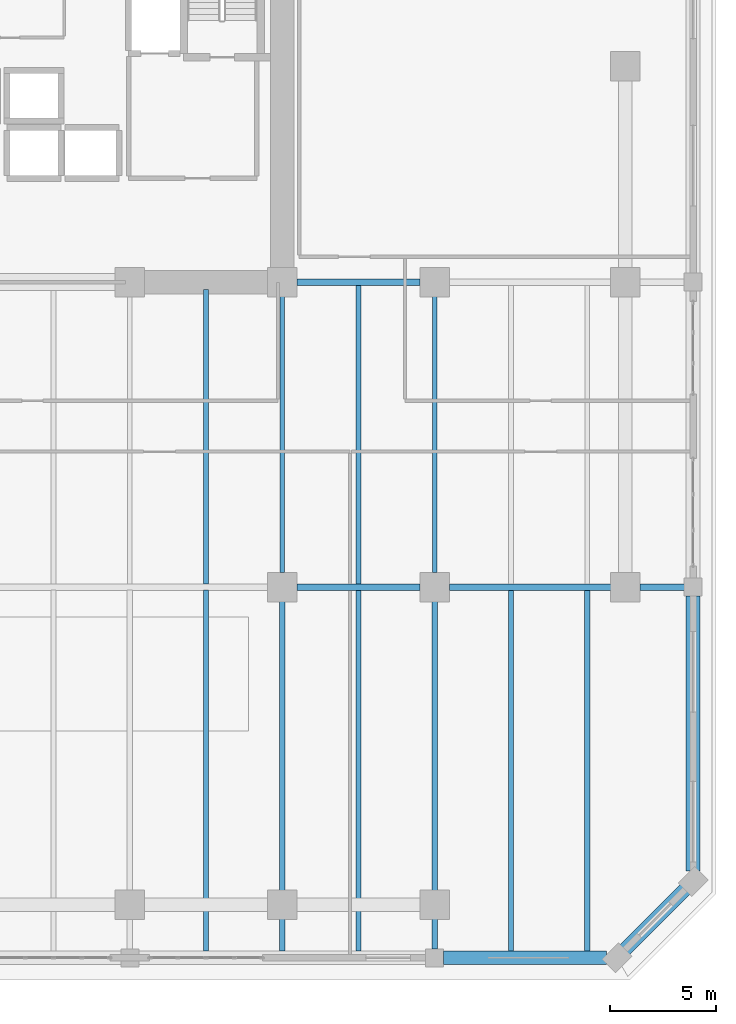
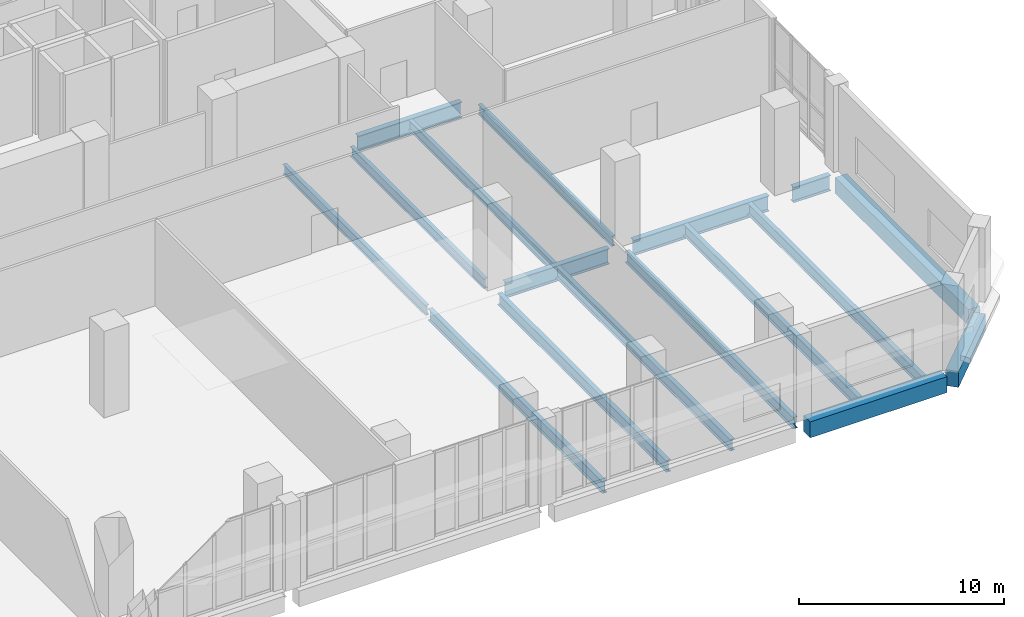
# One storey, part 14 of 25: 17 beams.
"""IFC4 building model written with IfcOpenShell, lengths in metres."""

from ifc_helpers import new_model, si_unit, direction, frame, origin, origin_2d, place, context, subcontext, project, spatial, rectangle, i_section, extrude, material, material_profile, profile_set, type_object, element, save


model = new_model("IFC4")

# Units and contexts
model_context = context("Model", 3, precision=1e-05, world=origin(), true_north=direction((0.0, 1.0)))
body_context = subcontext(model_context, "Body", "Model", "MODEL_VIEW")
ifc_project = project(units=[si_unit("LENGTHUNIT", "METRE"), si_unit("AREAUNIT", "SQUARE_METRE"), si_unit("VOLUMEUNIT", "CUBIC_METRE"), si_unit("PLANEANGLEUNIT", "RADIAN"), si_unit("MASSUNIT", "GRAM", prefix="KILO")], contexts=[model_context])

# Site, building, storey
site_placement = place(None, origin())
site = spatial("IfcSite", under=ifc_project, at=site_placement, CompositionType="ELEMENT")
building_placement = place(site_placement, origin())
building = spatial("IfcBuilding", under=site, at=building_placement, Name="Kaelvorn Grand Hotel", CompositionType="ELEMENT")
storey_placement = place(building_placement, frame((0.0, 0.0, 26.0)))
storey = spatial("IfcBuildingStorey", under=building, at=storey_placement, Name="L04", CompositionType="ELEMENT", Elevation=26.0)

# Beams
ifc_material_1 = material(Name="Steel S355", Category="steel")
ifc_material_profile_1 = material_profile(ifc_material_1, i_section(OverallWidth=0.305419921875, OverallDepth=0.91845703125, WebThickness=0.017333984375, FlangeThickness=0.02783203125, FilletRadius=0.01904296875, at=origin_2d()), Name="UB 914x305x253")
ifc_profile_set_1 = profile_set([ifc_material_profile_1], Name="Steel S355")
beam_type_1 = type_object("IfcBeamType", Name="BM-G-UB914-S355", PredefinedType="BEAM", material=ifc_profile_set_1)
beam_1_placement = place(storey_placement, frame((68.485107421875, 15.0, -0.779296875), z_axis=(1.0, 0.0, 0.0), x_axis=(0.0, 1.0, 0.0)))
element("IfcBeam", 1, at=beam_1_placement, inside=storey, type_object=beam_type_1, Name="L04 Primary Spine Steel Girder G-15 07", PredefinedType="BEAM", context=body_context, shape_type="SweptSolid", body=[
    extrude(i_section(OverallWidth=0.305419921875, OverallDepth=0.91845703125, WebThickness=0.017333984375, FlangeThickness=0.02783203125, FilletRadius=0.01904296875, at=origin_2d()), origin(), (0.0, 0.0, 1.0), 5.829833984375),
])
beam_2_placement = place(storey_placement, frame((75.68505859375, 15.0, -0.779296875), z_axis=(1.0, 0.0, 0.0), x_axis=(0.0, 1.0, 0.0)))
element("IfcBeam", 2, at=beam_2_placement, inside=storey, type_object=beam_type_1, Name="L04 Primary Spine Steel Girder G-15 08", PredefinedType="BEAM", context=body_context, shape_type="SweptSolid", body=[
    extrude(i_section(OverallWidth=0.305419921875, OverallDepth=0.91845703125, WebThickness=0.017333984375, FlangeThickness=0.02783203125, FilletRadius=0.01904296875, at=origin_2d()), origin(), (0.0, 0.0, 1.0), 7.6298828125),
])
beam_3_placement = place(storey_placement, frame((84.68505859375, 15.0, -0.779296875), z_axis=(1.0, 0.0, 0.0), x_axis=(0.0, 1.0, 0.0)))
element("IfcBeam", 3, at=beam_3_placement, inside=storey, type_object=beam_type_1, Name="L04 Primary Spine Steel Girder G-15 09", PredefinedType="BEAM", context=body_context, shape_type="SweptSolid", body=[
    extrude(i_section(OverallWidth=0.305419921875, OverallDepth=0.91845703125, WebThickness=0.017333984375, FlangeThickness=0.02783203125, FilletRadius=0.01904296875, at=origin_2d()), origin(), (0.0, 0.0, 1.0), 2.10498046875),
])
beam_4_placement = place(storey_placement, frame((68.485107421875, 29.39990234375, -0.779296875), z_axis=(1.0, 0.0, 0.0), x_axis=(0.0, 1.0, 0.0)))
element("IfcBeam", 4, at=beam_4_placement, inside=storey, type_object=beam_type_1, Name="L04 East Core Wing Steel Girder G-29E 01", PredefinedType="BEAM", context=body_context, shape_type="SweptSolid", body=[
    extrude(i_section(OverallWidth=0.305419921875, OverallDepth=0.91845703125, WebThickness=0.017333984375, FlangeThickness=0.02783203125, FilletRadius=0.01904296875, at=origin_2d()), origin(), (0.0, 0.0, 1.0), 5.829833984375),
])
ifc_material_profile_2 = material_profile(ifc_material_1, i_section(OverallWidth=0.219970703125, OverallDepth=0.60009765625, WebThickness=0.011962890625, FlangeThickness=0.01904296875, FilletRadius=0.02392578125, at=origin_2d()), Name="IPE 600")
ifc_profile_set_2 = profile_set([ifc_material_profile_2], Name="Steel S355")
beam_type_2 = type_object("IfcBeamType", Name="BM-J-IPE600-S355", PredefinedType="JOIST", material=ifc_profile_set_2)
beam_5_placement = place(storey_placement, frame((64.199951171875, 15.1376953125, -0.6201171875), z_axis=(0.0, 1.0, 0.0), x_axis=(-1.0, 0.0, 0.0)))
element("IfcBeam", 5, at=beam_5_placement, inside=storey, type_object=beam_type_2, Name="L04 Composite Floor Joist JM-18", PredefinedType="JOIST", context=body_context, shape_type="SweptSolid", body=[
    extrude(i_section(OverallWidth=0.219970703125, OverallDepth=0.60009765625, WebThickness=0.011962890625, FlangeThickness=0.01904296875, FilletRadius=0.02392578125, at=origin_2d()), origin(), (0.0, 0.0, 1.0), 13.92236328125),
])
beam_6_placement = place(storey_placement, frame((67.800048828125, 15.68505859375, -0.6201171875), z_axis=(0.0, 1.0, 0.0), x_axis=(-1.0, 0.0, 0.0)))
element("IfcBeam", 6, at=beam_6_placement, inside=storey, type_object=beam_type_2, Name="L04 Composite Floor Joist JM-19", PredefinedType="JOIST", context=body_context, shape_type="SweptSolid", body=[
    extrude(i_section(OverallWidth=0.219970703125, OverallDepth=0.60009765625, WebThickness=0.011962890625, FlangeThickness=0.01904296875, FilletRadius=0.02392578125, at=origin_2d()), origin(), (0.0, 0.0, 1.0), 13.030029296875),
])
beam_7_placement = place(storey_placement, frame((71.39990234375, 15.1376953125, -0.6201171875), z_axis=(0.0, 1.0, 0.0), x_axis=(-1.0, 0.0, 0.0)))
element("IfcBeam", 7, at=beam_7_placement, inside=storey, type_object=beam_type_2, Name="L04 Composite Floor Joist JM-20", PredefinedType="JOIST", context=body_context, shape_type="SweptSolid", body=[
    extrude(i_section(OverallWidth=0.219970703125, OverallDepth=0.60009765625, WebThickness=0.011962890625, FlangeThickness=0.01904296875, FilletRadius=0.02392578125, at=origin_2d()), origin(), (0.0, 0.0, 1.0), 14.12451171875),
])
beam_8_placement = place(storey_placement, frame((75.0, 15.68505859375, -0.6201171875), z_axis=(0.0, 1.0, 0.0), x_axis=(-1.0, 0.0, 0.0)))
element("IfcBeam", 8, at=beam_8_placement, inside=storey, type_object=beam_type_2, Name="L04 Composite Floor Joist JM-21", PredefinedType="JOIST", context=body_context, shape_type="SweptSolid", body=[
    extrude(i_section(OverallWidth=0.219970703125, OverallDepth=0.60009765625, WebThickness=0.011962890625, FlangeThickness=0.01904296875, FilletRadius=0.02392578125, at=origin_2d()), origin(), (0.0, 0.0, 1.0), 13.030029296875),
])
ifc_material_profile_3 = material_profile(ifc_material_1, i_section(OverallWidth=0.25439453125, OverallDepth=0.6875, WebThickness=0.01318359375, FlangeThickness=0.02099609375, FilletRadius=0.01513671875, at=origin_2d()), Name="UB 686x254x152")
ifc_profile_set_3 = profile_set([ifc_material_profile_3], Name="Steel S355")
beam_type_3 = type_object("IfcBeamType", Name="BM-J-UB686-S355", PredefinedType="JOIST", material=ifc_profile_set_3)
beam_9_placement = place(storey_placement, frame((64.199951171875, -2.18994140625, -0.663818359375), z_axis=(0.0, 1.0, 0.0), x_axis=(-1.0, 0.0, 0.0)))
element("IfcBeam", 9, at=beam_9_placement, inside=storey, type_object=beam_type_3, Name="L04 Composite Floor Joist JS-18", PredefinedType="JOIST", context=body_context, shape_type="SweptSolid", body=[
    extrude(i_section(OverallWidth=0.25439453125, OverallDepth=0.6875, WebThickness=0.01318359375, FlangeThickness=0.02099609375, FilletRadius=0.01513671875, at=origin_2d()), origin(), (0.0, 0.0, 1.0), 17.05224609375),
])
beam_10_placement = place(storey_placement, frame((67.800048828125, -2.18994140625, -0.663818359375), z_axis=(0.0, 1.0, 0.0), x_axis=(-1.0, 0.0, 0.0)))
element("IfcBeam", 10, at=beam_10_placement, inside=storey, type_object=beam_type_3, Name="L04 Composite Floor Joist JS-19", PredefinedType="JOIST", context=body_context, shape_type="SweptSolid", body=[
    extrude(i_section(OverallWidth=0.25439453125, OverallDepth=0.6875, WebThickness=0.01318359375, FlangeThickness=0.02099609375, FilletRadius=0.01513671875, at=origin_2d()), origin(), (0.0, 0.0, 1.0), 16.5048828125),
])
beam_11_placement = place(storey_placement, frame((71.39990234375, -2.18994140625, -0.663818359375), z_axis=(0.0, 1.0, 0.0), x_axis=(-1.0, 0.0, 0.0)))
element("IfcBeam", 11, at=beam_11_placement, inside=storey, type_object=beam_type_3, Name="L04 Composite Floor Joist JS-20", PredefinedType="JOIST", context=body_context, shape_type="SweptSolid", body=[
    extrude(i_section(OverallWidth=0.25439453125, OverallDepth=0.6875, WebThickness=0.01318359375, FlangeThickness=0.02099609375, FilletRadius=0.01513671875, at=origin_2d()), origin(), (0.0, 0.0, 1.0), 17.05224609375),
])
beam_12_placement = place(storey_placement, frame((75.0, -2.090087890625, -0.663818359375), z_axis=(0.0, 1.0, 0.0), x_axis=(-1.0, 0.0, 0.0)))
element("IfcBeam", 12, at=beam_12_placement, inside=storey, type_object=beam_type_3, Name="L04 Composite Floor Joist JS-21", PredefinedType="JOIST", context=body_context, shape_type="SweptSolid", body=[
    extrude(i_section(OverallWidth=0.25439453125, OverallDepth=0.6875, WebThickness=0.01318359375, FlangeThickness=0.02099609375, FilletRadius=0.01513671875, at=origin_2d()), origin(), (0.0, 0.0, 1.0), 16.405029296875),
])
for number, where, z_axis, x_axis, name in (
    (13, (78.60009765625, -2.18994140625, -0.663818359375), (0.0, 1.0, 0.0), (-1.0, 0.0, 0.0), "L04 Composite Floor Joist JS-22"),
    (14, (82.199951171875, -2.18994140625, -0.663818359375), (0.0, 1.0, 0.0), (-1.0, 0.0, 0.0), "L04 Composite Floor Joist JS-23"),
):
    element("IfcBeam", number, at=place(storey_placement, frame(where, z_axis=z_axis, x_axis=x_axis)), inside=storey, type_object=beam_type_3, Name=name, PredefinedType="JOIST", context=body_context, shape_type="SweptSolid", body=[
        extrude(i_section(OverallWidth=0.25439453125, OverallDepth=0.6875, WebThickness=0.01318359375, FlangeThickness=0.02099609375, FilletRadius=0.01513671875, at=origin_2d()), origin(), (0.0, 0.0, 1.0), 17.05224609375),
    ])
ifc_material_2 = material(Name="Concrete C60/75", Category="concrete")
ifc_material_profile_4 = material_profile(ifc_material_2, rectangle(XDim=0.64990234375, YDim=0.949951171875, at=origin_2d()), Name="RC SPANDREL 650x950")
ifc_profile_set_4 = profile_set([ifc_material_profile_4], Name="Concrete C60/75")
beam_type_4 = type_object("IfcBeamType", Name="BM-SP-650x950-C60", PredefinedType="SPANDREL", material=ifc_profile_set_4)
beam_13_placement = place(storey_placement, frame((75.409912109375, -2.5, -0.794921875), z_axis=(1.0, 0.0, 0.0), x_axis=(0.0, 1.0, 0.0)))
element("IfcBeam", 15, at=beam_13_placement, inside=storey, type_object=beam_type_4, Name="L04 South Perimeter Spandrel 07", PredefinedType="SPANDREL", context=body_context, shape_type="SweptSolid", body=[
    extrude(rectangle(XDim=0.64990234375, YDim=0.949951171875, at=origin_2d()), origin(), (0.0, 0.0, 1.0), 7.705078125),
])
beam_14_placement = place(storey_placement, frame((87.199951171875, 1.5849609375, -0.794921875), z_axis=(0.0, 1.0, 0.0), x_axis=(-1.0, 0.0, 0.0)))
element("IfcBeam", 16, at=beam_14_placement, inside=storey, type_object=beam_type_4, Name="L04 East Perimeter Spandrel 01", PredefinedType="SPANDREL", context=body_context, shape_type="SweptSolid", body=[
    extrude(rectangle(XDim=0.64990234375, YDim=0.949951171875, at=origin_2d()), origin(), (0.0, 0.0, 1.0), 13.005126953125),
])
beam_15_placement = place(storey_placement, frame((83.60009765625, -2.5, -0.794921875), z_axis=(0.707082803744, 0.707130757816, 0.0), x_axis=(-0.707130757816, 0.707082803744, 0.0)))
element("IfcBeam", 17, at=beam_15_placement, inside=storey, type_object=beam_type_4, Name="L04 Chamfer Spandrel Beam 1", PredefinedType="SPANDREL", context=body_context, shape_type="SweptSolid", body=[
    extrude(rectangle(XDim=0.64990234375, YDim=0.949951171875, at=origin_2d()), origin(), (0.0, 0.0, 1.0), 5.091064453125),
])

save(model, "model.ifc")
